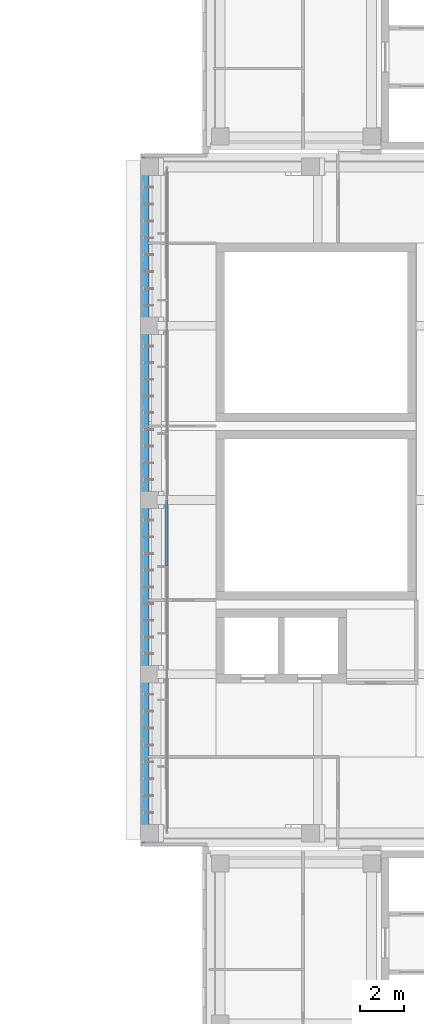
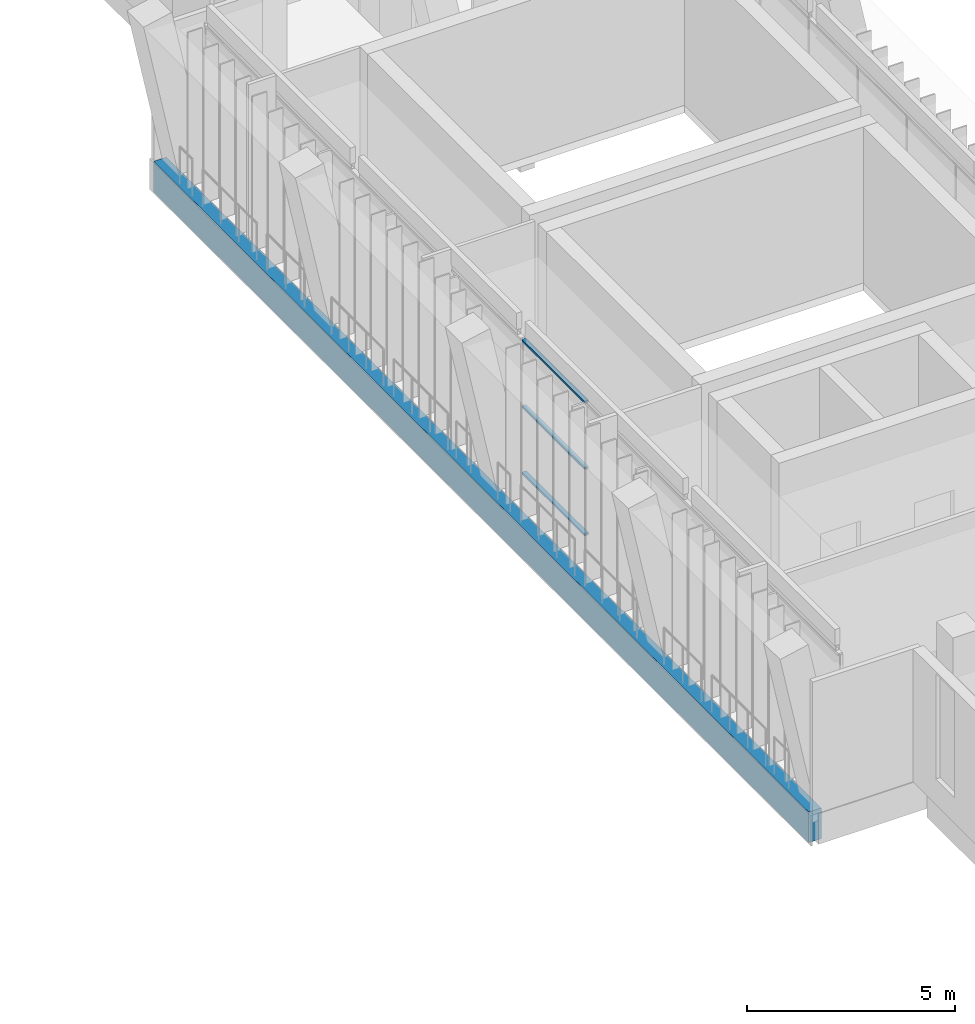
# One storey, part 25 of 89: 3 members, 1 beam, 1 element without a shape of its own.
"""IFC4 building model written with IfcOpenShell, lengths in metres."""

from ifc_helpers import new_model, si_unit, direction, frame, origin, origin_2d, place, context, subcontext, project, spatial, rectangle, extrude, material, material_profile, profile_set, type_object, element, aggregate, save


model = new_model("IFC4")

# Units and contexts
model_context = context("Model", 3, precision=1e-05, world=origin(), true_north=direction((0.0, 1.0)))
body_context = subcontext(model_context, "Body", "Model", "MODEL_VIEW")
ifc_project = project(units=[si_unit("LENGTHUNIT", "METRE"), si_unit("AREAUNIT", "SQUARE_METRE"), si_unit("VOLUMEUNIT", "CUBIC_METRE"), si_unit("PLANEANGLEUNIT", "RADIAN"), si_unit("MASSUNIT", "GRAM", prefix="KILO")], contexts=[model_context])

# Site, building, storey
site_placement = place(None, origin())
site = spatial("IfcSite", under=ifc_project, at=site_placement, CompositionType="ELEMENT")
building_placement = place(site_placement, origin())
building = spatial("IfcBuilding", under=site, at=building_placement, Name="Lantern Court Media Centre", CompositionType="ELEMENT")
storey_placement = place(building_placement, frame((0.0, 0.0, 14.39990234375)))
storey = spatial("IfcBuildingStorey", under=building, at=storey_placement, Name="L03", CompositionType="ELEMENT", Elevation=14.39990234375)

# Curtain wall, members
ifc_material_1 = material(Name="Curtain wall bay 3000")
curtain_wall_type = type_object("IfcCurtainWallType", Name="Curtain wall bay 3000", PredefinedType="NOTDEFINED", material=ifc_material_1)
curtain_wall_placement = place(storey_placement, origin())
curtain_wall = element("IfcCurtainWall", 1, at=curtain_wall_placement, inside=storey, type_object=curtain_wall_type, Name="Curtain wall W outer L03", PredefinedType="NOTDEFINED")
ifc_material_2 = material(Name="Anodised aluminium", Category="aluminium")
ifc_material_profile_1 = material_profile(ifc_material_2, rectangle(XDim=0.1201171875, YDim=0.06005859375, at=origin_2d()), Name="AL 60x120")
ifc_profile_set_1 = profile_set([ifc_material_profile_1], Name="Anodised aluminium")
member_type = type_object("IfcMemberType", Name="Curtain wall transom 60x120", PredefinedType="USERDEFINED", material=ifc_profile_set_1)
member_1_placement = place(storey_placement, frame((6.14990234375, 76.969970703125, 0.030029296875), z_axis=(0.0, 1.0, 0.0), x_axis=(-1.0, 0.0, 0.0)))
member_1 = element("IfcMember", 2, at=member_1_placement, type_object=member_type, Name="CW1 transom 5.1", ObjectType="TRANSOM", PredefinedType="USERDEFINED", context=body_context, shape_type="SweptSolid", body=[
    extrude(rectangle(XDim=0.1201171875, YDim=0.06005859375, at=origin_2d()), origin(), (0.0, 0.0, 1.0), 3.0),
])
member_2_placement = place(storey_placement, frame((6.14990234375, 76.969970703125, 1.97509765625), z_axis=(0.0, 1.0, 0.0), x_axis=(-1.0, 0.0, 0.0)))
member_2 = element("IfcMember", 3, at=member_2_placement, type_object=member_type, Name="CW1 transom 5.2", ObjectType="TRANSOM", PredefinedType="USERDEFINED", context=body_context, shape_type="SweptSolid", body=[
    extrude(rectangle(XDim=0.1201171875, YDim=0.06005859375, at=origin_2d()), origin(), (0.0, 0.0, 1.0), 3.0),
])
member_3_placement = place(storey_placement, frame((6.14990234375, 76.969970703125, 3.920166015625), z_axis=(0.0, 1.0, 0.0), x_axis=(-1.0, 0.0, 0.0)))
member_3 = element("IfcMember", 4, at=member_3_placement, type_object=member_type, Name="CW1 transom 5.3", ObjectType="TRANSOM", PredefinedType="USERDEFINED", context=body_context, shape_type="SweptSolid", body=[
    extrude(rectangle(XDim=0.1201171875, YDim=0.06005859375, at=origin_2d()), origin(), (0.0, 0.0, 1.0), 3.0),
])
aggregate(curtain_wall, [member_1, member_2, member_3])

# Beam
ifc_material_3 = material(Name="Concrete C35", Category="concrete")
ifc_material_profile_2 = material_profile(ifc_material_3, rectangle(XDim=0.35009765625, YDim=0.89990234375, at=origin_2d()), Name="RC 350x900")
ifc_profile_set_2 = profile_set([ifc_material_profile_2], Name="Concrete C35")
beam_type = type_object("IfcBeamType", Name="RC BEAM 350x900", PredefinedType="BEAM", material=ifc_profile_set_2)
beam_placement = place(storey_placement, frame((5.14990234375, 64.25, -0.449951171875), z_axis=(0.0, 1.0, 0.0), x_axis=(-1.0, 0.0, 0.0)))
element("IfcBeam", 5, at=beam_placement, inside=storey, type_object=beam_type, Name="EB-W-L03-A", PredefinedType="BEAM", context=body_context, shape_type="SweptSolid", body=[
    extrude(rectangle(XDim=0.35009765625, YDim=0.89990234375, at=origin_2d()), origin(), (0.0, 0.0, 1.0), 31.5),
])

save(model, "model.ifc")
